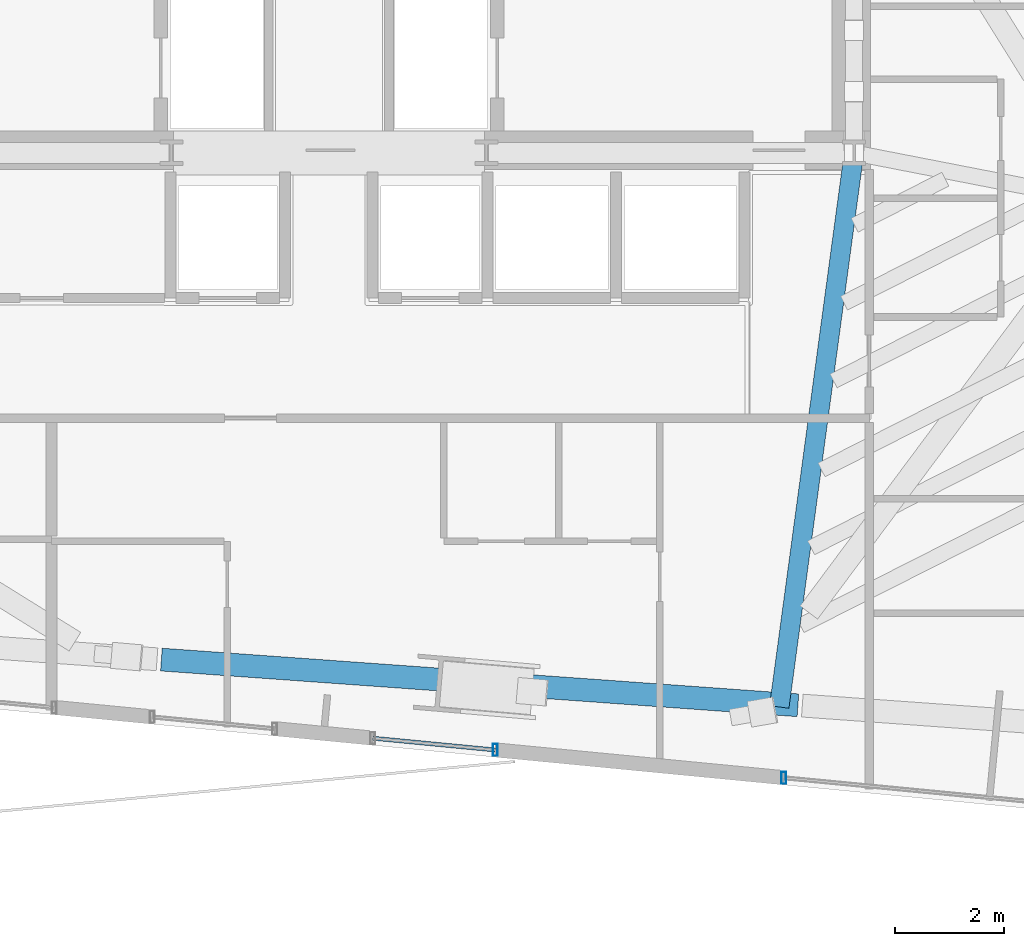
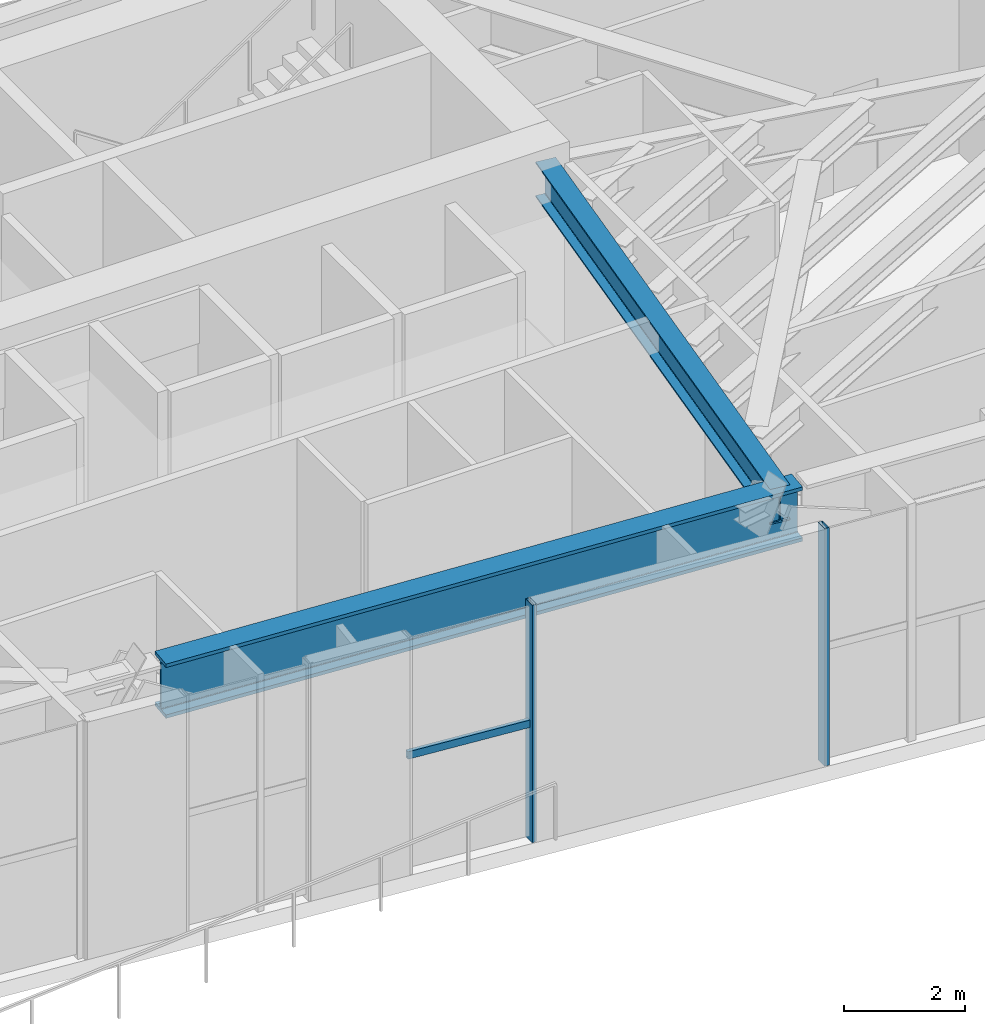
# One storey, part 9 of 23: 3 members, 2 beams, 2 elements without a shape of their own.
"""IFC4 building model written with IfcOpenShell, lengths in metres."""

from ifc_helpers import new_model, si_unit, direction, frame, origin, origin_2d, place, context, subcontext, project, spatial, hollow_rectangle, i_section, extrude, source, transform, mapped, material, material_profile, profile_set, type_object, type_shapes, element, aggregate, save


model = new_model("IFC4")

# Units and contexts
model_context = context("Model", 3, precision=1e-05, world=origin(), true_north=direction((0.0, 1.0)))
body_context = subcontext(model_context, "Body", "Model", "MODEL_VIEW")
ifc_project = project(units=[si_unit("LENGTHUNIT", "METRE"), si_unit("AREAUNIT", "SQUARE_METRE"), si_unit("VOLUMEUNIT", "CUBIC_METRE"), si_unit("PLANEANGLEUNIT", "RADIAN"), si_unit("MASSUNIT", "GRAM", prefix="KILO")], contexts=[model_context])

# Site, building, storey
site_placement = place(None, origin())
site = spatial("IfcSite", under=ifc_project, at=site_placement, CompositionType="ELEMENT")
building_placement = place(site_placement, origin())
building = spatial("IfcBuilding", under=site, at=building_placement, Name="Astriad Promenade Condominiums", CompositionType="ELEMENT")
storey_placement = place(building_placement, frame((0.0, 0.0, 119.39990234375)))
storey = spatial("IfcBuildingStorey", under=building, at=storey_placement, Name="L34", CompositionType="ELEMENT", Elevation=119.39990234375)

# Beams
ifc_material_1 = material(Name="Steel ASTM A992 Grade 50", Category="steel")
ifc_material_profile_1 = material_profile(ifc_material_1, i_section(OverallWidth=0.4169921875, OverallDepth=1.093505859375, WebThickness=0.0390625, FlangeThickness=0.070068359375, FilletRadius=0.025390625, at=origin_2d()), Name="W40X503")
ifc_profile_set_1 = profile_set([ifc_material_profile_1], Name="Steel ASTM A992 Grade 50")
beam_type_1 = type_object("IfcBeamType", Name="STEEL TRANSFER GIRDER W40X503", PredefinedType="BEAM", material=ifc_profile_set_1)
shared_shape_1 = source(origin(), body_context, "Body", "SweptSolid", [
    extrude(i_section(OverallWidth=0.4169921875, OverallDepth=1.093505859375, WebThickness=0.0390625, FlangeThickness=0.070068359375, FilletRadius=0.025390625, at=origin_2d()), origin(), (0.0, 0.0, 1.0), 11.667724609375),
])
type_shapes(beam_type_1, [shared_shape_1])
beam_1_placement = place(storey_placement, frame((32.936767578125, 8.136962890625, 4.2333984375), z_axis=(0.997433144104, -0.07160393176, 0.0), x_axis=(0.07160393176, 0.997433144104, 0.0)))
element("IfcBeam", 1, at=beam_1_placement, inside=storey, type_object=beam_type_1, Name="Perimeter Spandrel Beam SP-S3-L34", PredefinedType="BEAM", context=body_context, shape_type="MappedRepresentation", body=[
    mapped(shared_shape_1, transform((0.0, 0.0, 0.0), scale=1.0)),
])
ifc_material_profile_2 = material_profile(ifc_material_1, i_section(OverallWidth=0.35791015625, OverallDepth=0.706298828125, WebThickness=0.018310546875, FlangeThickness=0.0302734375, FilletRadius=0.020263671875, at=origin_2d()), Name="W27X178")
ifc_profile_set_2 = profile_set([ifc_material_profile_2], Name="Steel ASTM A992 Grade 50")
beam_type_2 = type_object("IfcBeamType", Name="STEEL FLOOR GIRDER W27X178", PredefinedType="BEAM", material=ifc_profile_set_2)
shared_shape_2 = source(origin(), body_context, "Body", "SweptSolid", [
    extrude(i_section(OverallWidth=0.35791015625, OverallDepth=0.706298828125, WebThickness=0.018310546875, FlangeThickness=0.0302734375, FilletRadius=0.020263671875, at=origin_2d()), origin(), (0.0, 0.0, 1.0), 10.18115234375),
])
type_shapes(beam_type_2, [shared_shape_2])
beam_2_placement = place(storey_placement, frame((44.232421875, 7.270751953125, 4.427001953125), z_axis=(0.133782961425, 0.991010655459, 0.0), x_axis=(-0.991010655459, 0.133782961425, 0.0)))
element("IfcBeam", 2, at=beam_2_placement, inside=storey, type_object=beam_type_2, Name="Primary Floor Girder PG-E2-L34", PredefinedType="BEAM", context=body_context, shape_type="MappedRepresentation", body=[
    mapped(shared_shape_2, transform((0.0, 0.0, 0.0), scale=1.0)),
])

# Curtain wall, member
ifc_material_2 = material(Name="Anodised aluminium Black Dark Glass Unitised", Category="aluminium")
curtain_wall_type = type_object("IfcCurtainWallType", Name="CW-B34-DARK", PredefinedType="USERDEFINED", material=ifc_material_2)
curtain_wall_1_placement = place(storey_placement, origin())
curtain_wall_1 = element("IfcCurtainWall", 3, at=curtain_wall_1_placement, inside=storey, type_object=curtain_wall_type, Name="CW-L34-S-1", ObjectType="UNITISED_CURTAIN_WALL", PredefinedType="USERDEFINED")
ifc_material_3 = material(Name="Anodised aluminium 6063-T6 Black", Category="aluminium")
ifc_material_profile_3 = material_profile(ifc_material_3, hollow_rectangle(XDim=0.0849609375, YDim=0.219970703125, WallThickness=0.0048828125, at=origin_2d()), Name="ALU-MUL-85X220")
ifc_profile_set_3 = profile_set([ifc_material_profile_3], Name="Anodised aluminium 6063-T6 Black")
member_type_1 = type_object("IfcMemberType", Name="MUL-ALU-MUL-85X220", PredefinedType="MULLION", material=ifc_profile_set_3)
shared_shape_3 = source(origin(), body_context, "Body", "SweptSolid", [
    extrude(hollow_rectangle(XDim=0.0849609375, YDim=0.219970703125, WallThickness=0.0048828125, at=origin_2d()), origin(), (0.0, 0.0, 1.0), 4.780029296875),
])
type_shapes(member_type_1, [shared_shape_3])
member_1_placement = place(storey_placement, frame((44.315673828125, 5.9765625, 0.0), z_axis=(0.0, 0.0, 1.0), x_axis=(1.0, 0.0, 0.0)))
member_1 = element("IfcMember", 4, at=member_1_placement, type_object=member_type_1, Name="CW-L34-S-1-MUL-02", PredefinedType="MULLION", context=body_context, shape_type="MappedRepresentation", body=[
    mapped(shared_shape_3, transform((0.0, 0.0, 0.0), scale=1.0)),
])
aggregate(curtain_wall_1, [member_1])

# Curtain wall, members
curtain_wall_2_placement = place(storey_placement, origin())
curtain_wall_2 = element("IfcCurtainWall", 5, at=curtain_wall_2_placement, inside=storey, type_object=curtain_wall_type, Name="CW-L34-S-2", ObjectType="UNITISED_CURTAIN_WALL", PredefinedType="USERDEFINED")
member_2_placement = place(storey_placement, frame((39.0400390625, 6.484619140625, 0.0), z_axis=(0.0, 0.0, 1.0), x_axis=(1.0, 0.0, 0.0)))
member_2 = element("IfcMember", 6, at=member_2_placement, type_object=member_type_1, Name="CW-L34-S-2-MUL-00", PredefinedType="MULLION", context=body_context, shape_type="MappedRepresentation", body=[
    mapped(shared_shape_3, transform((0.0, 0.0, 0.0), scale=1.0)),
])
ifc_material_profile_4 = material_profile(ifc_material_3, hollow_rectangle(XDim=0.074951171875, YDim=0.14990234375, WallThickness=0.004150390625, at=origin_2d()), Name="ALU-TRN-75X150")
ifc_profile_set_4 = profile_set([ifc_material_profile_4], Name="Anodised aluminium 6063-T6 Black")
member_type_2 = type_object("IfcMemberType", Name="TRN-ALU-TRN-75X150", PredefinedType="USERDEFINED", material=ifc_profile_set_4)
shared_shape_4 = source(origin(), body_context, "Body", "SweptSolid", [
    extrude(hollow_rectangle(XDim=0.074951171875, YDim=0.14990234375, WallThickness=0.004150390625, at=origin_2d()), origin(), (0.0, 0.0, 1.0), 2.25),
])
type_shapes(member_type_2, [shared_shape_4])
member_3_placement = place(storey_placement, frame((39.0400390625, 6.484619140625, 2.35009765625), z_axis=(-0.99539987999, 0.095807509705, 0.0), x_axis=(-0.095807509705, -0.99539987999, 0.0)))
member_3 = element("IfcMember", 7, at=member_3_placement, type_object=member_type_2, Name="CW-L34-S-2-TRN-00-0", ObjectType="TRANSOM", PredefinedType="USERDEFINED", context=body_context, shape_type="MappedRepresentation", body=[
    mapped(shared_shape_4, transform((0.0, 0.0, 0.0), scale=1.0)),
])
aggregate(curtain_wall_2, [member_2, member_3])

save(model, "model.ifc")
